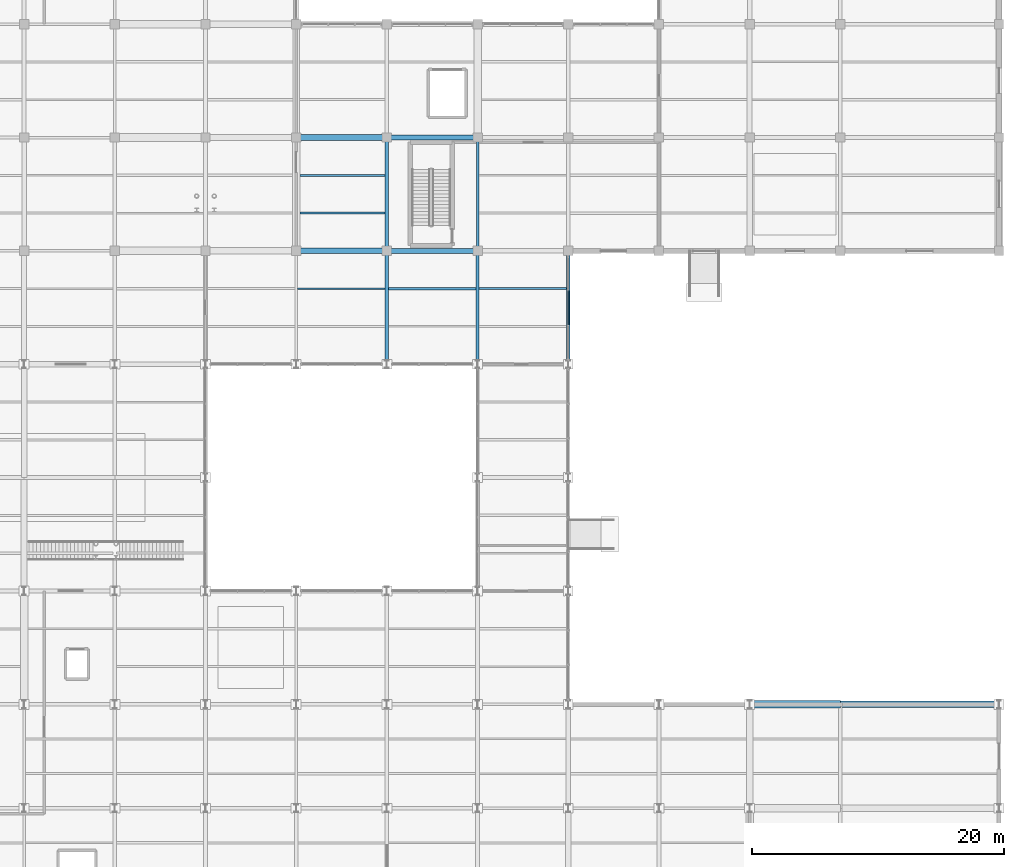
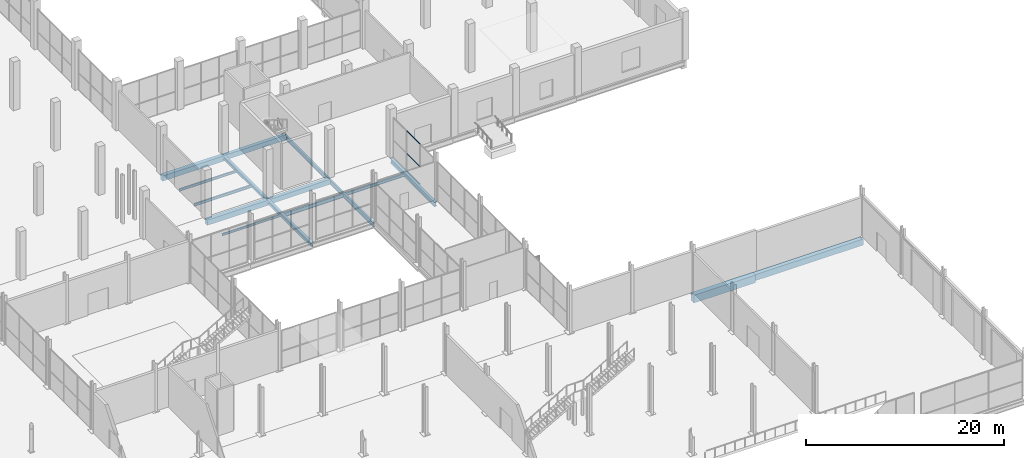
# One storey, part 98 of 144: 16 beams, 3 members, 1 element without a shape of its own.
"""IFC4 building model written with IfcOpenShell, lengths in metres."""

from ifc_helpers import new_model, si_unit, direction, frame, origin, origin_2d, place, context, subcontext, project, spatial, rectangle, hollow_rectangle, i_section, extrude, material, layer, layer_set, material_profile, profile_set, type_object, element, aggregate, save


model = new_model("IFC4")

# Units and contexts
model_context = context("Model", 3, precision=1e-05, world=origin(), true_north=direction((0.0, 1.0)))
body_context = subcontext(model_context, "Body", "Model", "MODEL_VIEW")
ifc_project = project(units=[si_unit("LENGTHUNIT", "METRE"), si_unit("AREAUNIT", "SQUARE_METRE"), si_unit("VOLUMEUNIT", "CUBIC_METRE"), si_unit("PLANEANGLEUNIT", "RADIAN"), si_unit("MASSUNIT", "GRAM", prefix="KILO")], contexts=[model_context])

# Site, building, storey
site_placement = place(None, origin())
site = spatial("IfcSite", under=ifc_project, at=site_placement, CompositionType="ELEMENT")
building_placement = place(site_placement, origin())
building = spatial("IfcBuilding", under=site, at=building_placement, Name="Sundgate Opera House", CompositionType="ELEMENT")
storey_placement = place(building_placement, origin())
storey = spatial("IfcBuildingStorey", under=building, at=storey_placement, Name="L00", CompositionType="ELEMENT", Elevation=0.0)

# Beams
ifc_material_1 = material(Name="Steel S355J2", Category="steel")
ifc_material_profile_1 = material_profile(ifc_material_1, i_section(OverallWidth=0.300048828125, OverallDepth=0.39990234375, WebThickness=0.013427734375, FlangeThickness=0.02392578125, at=origin_2d()), Name="HEB 400")
ifc_profile_set_1 = profile_set([ifc_material_profile_1], Name="Steel S355J2")
beam_type_1 = type_object("IfcBeamType", Name="BM-GR-HEB400", PredefinedType="BEAM", material=ifc_profile_set_1)
beam_1_placement = place(storey_placement, frame((131.39990234375, 69.0, -0.52001953125), z_axis=(0.0, 1.0, 0.0), x_axis=(-1.0, 0.0, 0.0)))
element("IfcBeam", 1, at=beam_1_placement, inside=storey, type_object=beam_type_1, Name="L00 Primary N-S Girder B0263", PredefinedType="BEAM", context=body_context, shape_type="SweptSolid", body=[
    extrude(i_section(OverallWidth=0.300048828125, OverallDepth=0.39990234375, WebThickness=0.013427734375, FlangeThickness=0.02392578125, at=origin_2d()), origin(), (0.0, 0.0, 1.0), 9.0),
])
ifc_material_2 = material(Name="Steel S355J2", Category="steel")
ifc_material_profile_2 = material_profile(ifc_material_2, i_section(OverallWidth=0.300048828125, OverallDepth=0.449951171875, WebThickness=0.013916015625, FlangeThickness=0.02587890625, at=origin_2d()), Name="HEB 450")
ifc_profile_set_2 = profile_set([ifc_material_profile_2], Name="Steel S355J2")
beam_type_2 = type_object("IfcBeamType", Name="BM-GR-HEB450", PredefinedType="BEAM", material=ifc_profile_set_2)
beam_2_placement = place(storey_placement, frame((131.39990234375, 60.0, -0.544921875), z_axis=(0.0, 1.0, 0.0), x_axis=(-1.0, 0.0, 0.0)))
element("IfcBeam", 2, at=beam_2_placement, inside=storey, type_object=beam_type_2, Name="L00 Primary N-S Girder B0262", PredefinedType="BEAM", context=body_context, shape_type="SweptSolid", body=[
    extrude(i_section(OverallWidth=0.300048828125, OverallDepth=0.449951171875, WebThickness=0.013916015625, FlangeThickness=0.02587890625, at=origin_2d()), origin(), (0.0, 0.0, 1.0), 9.0),
])
ifc_material_3 = material(Name="Steel S355J2", Category="steel")
ifc_material_profile_3 = material_profile(ifc_material_3, i_section(OverallWidth=0.300048828125, OverallDepth=0.550048828125, WebThickness=0.014892578125, FlangeThickness=0.029052734375, at=origin_2d()), Name="HEB 550")
ifc_profile_set_3 = profile_set([ifc_material_profile_3], Name="Steel S355J2")
beam_type_3 = type_object("IfcBeamType", Name="BM-GR-HEB550", PredefinedType="BEAM", material=ifc_profile_set_3)
beam_3_placement = place(storey_placement, frame((145.800048828125, 60.0, -0.594970703125), z_axis=(0.0, 1.0, 0.0), x_axis=(-1.0, 0.0, 0.0)))
element("IfcBeam", 3, at=beam_3_placement, inside=storey, type_object=beam_type_3, Name="L00 Primary N-S Girder B0282", PredefinedType="BEAM", context=body_context, shape_type="SweptSolid", body=[
    extrude(i_section(OverallWidth=0.300048828125, OverallDepth=0.550048828125, WebThickness=0.014892578125, FlangeThickness=0.029052734375, at=origin_2d()), origin(), (0.0, 0.0, 1.0), 9.0),
])
ifc_material_4 = material(Name="Steel S355J2", Category="steel")
ifc_material_profile_4 = material_profile(ifc_material_4, i_section(OverallWidth=0.199951171875, OverallDepth=0.5, WebThickness=0.01025390625, FlangeThickness=0.01611328125, at=origin_2d()), Name="IPE 500")
ifc_profile_set_4 = profile_set([ifc_material_profile_4], Name="Steel S355J2")
beam_type_4 = type_object("IfcBeamType", Name="BM-GR-IPE500", PredefinedType="BEAM", material=ifc_profile_set_4)
beam_4_placement = place(storey_placement, frame((138.60009765625, 69.0, -0.570068359375), z_axis=(0.0, 1.0, 0.0), x_axis=(-1.0, 0.0, 0.0)))
element("IfcBeam", 4, at=beam_4_placement, inside=storey, type_object=beam_type_4, Name="L00 Primary N-S Girder B0273", PredefinedType="BEAM", context=body_context, shape_type="SweptSolid", body=[
    extrude(i_section(OverallWidth=0.199951171875, OverallDepth=0.5, WebThickness=0.01025390625, FlangeThickness=0.01611328125, at=origin_2d()), origin(), (0.0, 0.0, 1.0), 9.0),
])
ifc_material_5 = material(Name="Steel S355J2", Category="steel")
ifc_material_profile_5 = material_profile(ifc_material_5, i_section(OverallWidth=0.2099609375, OverallDepth=0.550048828125, WebThickness=0.010986328125, FlangeThickness=0.01708984375, at=origin_2d()), Name="IPE 550")
ifc_profile_set_5 = profile_set([ifc_material_profile_5], Name="Steel S355J2")
beam_type_5 = type_object("IfcBeamType", Name="BM-GR-IPE550", PredefinedType="BEAM", material=ifc_profile_set_5)
beam_5_placement = place(storey_placement, frame((138.60009765625, 60.0, -0.594970703125), z_axis=(0.0, 1.0, 0.0), x_axis=(-1.0, 0.0, 0.0)))
element("IfcBeam", 5, at=beam_5_placement, inside=storey, type_object=beam_type_5, Name="L00 Primary N-S Girder B0272", PredefinedType="BEAM", context=body_context, shape_type="SweptSolid", body=[
    extrude(i_section(OverallWidth=0.2099609375, OverallDepth=0.550048828125, WebThickness=0.010986328125, FlangeThickness=0.01708984375, at=origin_2d()), origin(), (0.0, 0.0, 1.0), 9.0),
])
ifc_material_6 = material(Name="Steel S355J2", Category="steel")
ifc_material_profile_6 = material_profile(ifc_material_6, i_section(OverallWidth=0.135009765625, OverallDepth=0.27001953125, WebThickness=0.006591796875, FlangeThickness=0.01025390625, at=origin_2d()), Name="IPE 270")
ifc_profile_set_6 = profile_set([ifc_material_profile_6], Name="Steel S355J2")
beam_type_6 = type_object("IfcBeamType", Name="BM-JS-IPE270", PredefinedType="JOIST", material=ifc_profile_set_6)
beam_6_placement = place(storey_placement, frame((124.300048828125, 66.0, -0.455078125), z_axis=(1.0, 0.0, 0.0), x_axis=(0.0, 1.0, 0.0)))
element("IfcBeam", 6, at=beam_6_placement, inside=storey, type_object=beam_type_6, Name="L00 Secondary Floor Joist B0831", PredefinedType="JOIST", context=body_context, shape_type="SweptSolid", body=[
    extrude(i_section(OverallWidth=0.135009765625, OverallDepth=0.27001953125, WebThickness=0.006591796875, FlangeThickness=0.01025390625, at=origin_2d()), origin(), (0.0, 0.0, 1.0), 6.949951171875),
])
ifc_material_7 = material(Name="Steel S355J2", Category="steel")
ifc_material_profile_7 = material_profile(ifc_material_7, i_section(OverallWidth=0.14990234375, OverallDepth=0.300048828125, WebThickness=0.007080078125, FlangeThickness=0.0107421875, at=origin_2d()), Name="IPE 300")
ifc_profile_set_7 = profile_set([ifc_material_profile_7], Name="Steel S355J2")
beam_type_7 = type_object("IfcBeamType", Name="BM-JS-IPE300", PredefinedType="JOIST", material=ifc_profile_set_7)
beam_7_placement = place(storey_placement, frame((124.5, 75.0, -0.469970703125), z_axis=(1.0, 0.0, 0.0), x_axis=(0.0, 1.0, 0.0)))
element("IfcBeam", 7, at=beam_7_placement, inside=storey, type_object=beam_type_7, Name="L00 Secondary Floor Joist B0865", PredefinedType="JOIST", context=body_context, shape_type="SweptSolid", body=[
    extrude(i_section(OverallWidth=0.14990234375, OverallDepth=0.300048828125, WebThickness=0.007080078125, FlangeThickness=0.0107421875, at=origin_2d()), origin(), (0.0, 0.0, 1.0), 6.75),
])
ifc_material_8 = material(Name="Steel S355J2", Category="steel")
ifc_material_profile_8 = material_profile(ifc_material_8, i_section(OverallWidth=0.159912109375, OverallDepth=0.330078125, WebThickness=0.007568359375, FlangeThickness=0.011474609375, at=origin_2d()), Name="IPE 330")
ifc_profile_set_8 = profile_set([ifc_material_profile_8], Name="Steel S355J2")
beam_type_8 = type_object("IfcBeamType", Name="BM-JS-IPE330", PredefinedType="JOIST", material=ifc_profile_set_8)
beam_8_placement = place(storey_placement, frame((124.5, 72.0, -0.485107421875), z_axis=(1.0, 0.0, 0.0), x_axis=(0.0, 1.0, 0.0)))
element("IfcBeam", 8, at=beam_8_placement, inside=storey, type_object=beam_type_8, Name="L00 Secondary Floor Joist B0864", PredefinedType="JOIST", context=body_context, shape_type="SweptSolid", body=[
    extrude(i_section(OverallWidth=0.159912109375, OverallDepth=0.330078125, WebThickness=0.007568359375, FlangeThickness=0.011474609375, at=origin_2d()), origin(), (0.0, 0.0, 1.0), 6.75),
])
ifc_material_9 = material(Name="Steel S355J2", Category="steel")
ifc_material_profile_9 = material_profile(ifc_material_9, i_section(OverallWidth=0.169921875, OverallDepth=0.360107421875, WebThickness=0.008056640625, FlangeThickness=0.0126953125, at=origin_2d()), Name="IPE 360")
ifc_profile_set_9 = profile_set([ifc_material_profile_9], Name="Steel S355J2")
beam_type_9 = type_object("IfcBeamType", Name="BM-JS-IPE360", PredefinedType="JOIST", material=ifc_profile_set_9)
beam_9_placement = place(storey_placement, frame((138.705078125, 66.0, -0.5), z_axis=(1.0, 0.0, 0.0), x_axis=(0.0, 1.0, 0.0)))
element("IfcBeam", 9, at=beam_9_placement, inside=storey, type_object=beam_type_9, Name="L00 Secondary Floor Joist B0835", PredefinedType="JOIST", context=body_context, shape_type="SweptSolid", body=[
    extrude(i_section(OverallWidth=0.169921875, OverallDepth=0.360107421875, WebThickness=0.008056640625, FlangeThickness=0.0126953125, at=origin_2d()), origin(), (0.0, 0.0, 1.0), 6.94482421875),
])
ifc_material_10 = material(Name="Steel S355J2", Category="steel")
ifc_material_profile_10 = material_profile(ifc_material_10, i_section(OverallWidth=0.18994140625, OverallDepth=0.449951171875, WebThickness=0.009521484375, FlangeThickness=0.0146484375, at=origin_2d()), Name="IPE 450")
ifc_profile_set_10 = profile_set([ifc_material_profile_10], Name="Steel S355J2")
beam_type_10 = type_object("IfcBeamType", Name="BM-JS-IPE450", PredefinedType="JOIST", material=ifc_profile_set_10)
beam_10_placement = place(storey_placement, frame((131.550048828125, 66.0, -0.544921875), z_axis=(1.0, 0.0, 0.0), x_axis=(0.0, 1.0, 0.0)))
element("IfcBeam", 10, at=beam_10_placement, inside=storey, type_object=beam_type_10, Name="L00 Secondary Floor Joist B0833", PredefinedType="JOIST", context=body_context, shape_type="SweptSolid", body=[
    extrude(i_section(OverallWidth=0.18994140625, OverallDepth=0.449951171875, WebThickness=0.009521484375, FlangeThickness=0.0146484375, at=origin_2d()), origin(), (0.0, 0.0, 1.0), 6.945068359375),
])
ifc_material_11 = material(Name="Concrete C35/45", Category="concrete")
ifc_material_profile_11 = material_profile(ifc_material_11, rectangle(XDim=0.39990234375, YDim=0.60009765625, at=origin_2d()), Name="RC 400x600")
ifc_profile_set_11 = profile_set([ifc_material_profile_11], Name="Concrete C35/45")
beam_type_11 = type_object("IfcBeamType", Name="BM-RC-400x600", PredefinedType="BEAM", material=ifc_profile_set_11)
for number, where, z_axis, x_axis, name in (
    (11, (131.39990234375, 69.0, -0.6201171875), (1.0, 0.0, 0.0), (0.0, 1.0, 0.0), "L00 Primary E-W Girder B0474"),
    (12, (131.39990234375, 78.0, -0.6201171875), (1.0, 0.0, 0.0), (0.0, 1.0, 0.0), "L00 Primary E-W Girder B0496"),
):
    element("IfcBeam", number, at=place(storey_placement, frame(where, z_axis=z_axis, x_axis=x_axis)), inside=storey, type_object=beam_type_11, Name=name, PredefinedType="BEAM", context=body_context, shape_type="SweptSolid", body=[
        extrude(rectangle(XDim=0.39990234375, YDim=0.60009765625, at=origin_2d()), origin(), (0.0, 0.0, 1.0), 7.2001953125),
    ])
ifc_material_12 = material(Name="Concrete C35/45", Category="concrete")
ifc_material_profile_12 = material_profile(ifc_material_12, rectangle(XDim=0.449951171875, YDim=0.64990234375, at=origin_2d()), Name="RC 450x650")
ifc_profile_set_12 = profile_set([ifc_material_profile_12], Name="Concrete C35/45")
beam_type_12 = type_object("IfcBeamType", Name="BM-RC-450x650", PredefinedType="BEAM", material=ifc_profile_set_12)
for number, where, z_axis, x_axis, name in (
    (13, (124.199951171875, 69.0, -0.64501953125), (1.0, 0.0, 0.0), (0.0, 1.0, 0.0), "L00 Primary E-W Girder B0473"),
    (14, (124.199951171875, 78.0, -0.64501953125), (1.0, 0.0, 0.0), (0.0, 1.0, 0.0), "L00 Primary E-W Girder B0495"),
):
    element("IfcBeam", number, at=place(storey_placement, frame(where, z_axis=z_axis, x_axis=x_axis)), inside=storey, type_object=beam_type_12, Name=name, PredefinedType="BEAM", context=body_context, shape_type="SweptSolid", body=[
        extrude(rectangle(XDim=0.449951171875, YDim=0.64990234375, at=origin_2d()), origin(), (0.0, 0.0, 1.0), 7.199951171875),
    ])
ifc_material_13 = material(Name="Concrete C40/50", Category="concrete")
ifc_material_profile_13 = material_profile(ifc_material_13, rectangle(XDim=0.5, YDim=0.75, at=origin_2d()), Name="RC 500x750")
ifc_profile_set_13 = profile_set([ifc_material_profile_13], Name="Concrete C40/50")
beam_type_13 = type_object("IfcBeamType", Name="BM-RC-500x750", PredefinedType="BEAM", material=ifc_profile_set_13)
beam_11_placement = place(storey_placement, frame((167.39990234375, 33.0, -0.695068359375), z_axis=(1.0, 0.0, 0.0), x_axis=(0.0, 1.0, 0.0)))
element("IfcBeam", 15, at=beam_11_placement, inside=storey, type_object=beam_type_13, Name="L00 Primary E-W Girder B0406", PredefinedType="BEAM", context=body_context, shape_type="SweptSolid", body=[
    extrude(rectangle(XDim=0.5, YDim=0.75, at=origin_2d()), origin(), (0.0, 0.0, 1.0), 12.60009765625),
])
ifc_material_14 = material(Name="Concrete C40/50", Category="concrete")
ifc_material_profile_14 = material_profile(ifc_material_14, rectangle(XDim=0.60009765625, YDim=0.949951171875, at=origin_2d()), Name="RC 600x950")
ifc_profile_set_14 = profile_set([ifc_material_profile_14], Name="Concrete C40/50")
beam_type_14 = type_object("IfcBeamType", Name="BM-RC-600x950", PredefinedType="BEAM", material=ifc_profile_set_14)
beam_12_placement = place(storey_placement, frame((160.199951171875, 33.0, -0.794921875), z_axis=(1.0, 0.0, 0.0), x_axis=(0.0, 1.0, 0.0)))
element("IfcBeam", 16, at=beam_12_placement, inside=storey, type_object=beam_type_14, Name="L00 Primary E-W Girder B0405", PredefinedType="BEAM", context=body_context, shape_type="SweptSolid", body=[
    extrude(rectangle(XDim=0.60009765625, YDim=0.949951171875, at=origin_2d()), origin(), (0.0, 0.0, 1.0), 7.199951171875),
])

# Curtain wall, members
ifc_material_15 = material(Name="Anodized aluminium and low-iron glass", Category="aluminium")
ifc_layer = layer(ifc_material_15, 0.159912109375)
ifc_layer_set = layer_set([ifc_layer], Name="Anodized aluminium and low-iron glass")
curtain_wall_type = type_object("IfcCurtainWallType", Name="CW-STUDIO-DARK", PredefinedType="NOTDEFINED", material=ifc_layer_set)
curtain_wall_placement = place(storey_placement, origin())
curtain_wall = element("IfcCurtainWall", 17, at=curtain_wall_placement, inside=storey, type_object=curtain_wall_type, Name="L00 Curtain Wall CW033", PredefinedType="NOTDEFINED")
ifc_material_16 = material(Name="Anodized aluminium EN AW-6063", Category="aluminium")
ifc_material_profile_15 = material_profile(ifc_material_16, hollow_rectangle(XDim=0.054931640625, YDim=0.1201171875, WallThickness=0.00390625, at=origin_2d()), Name="CWT 120x55x4")
ifc_profile_set_15 = profile_set([ifc_material_profile_15], Name="Anodized aluminium EN AW-6063")
member_type = type_object("IfcMemberType", Name="CWT-ALU-120x55", PredefinedType="USERDEFINED", material=ifc_profile_set_15)
member_1_placement = place(storey_placement, frame((145.800048828125, 63.11669921875, 0.0), z_axis=(0.0, 1.0, 0.0), x_axis=(-1.0, 0.0, 0.0)))
member_1 = element("IfcMember", 18, at=member_1_placement, type_object=member_type, Name="CW033 Transom 4", ObjectType="TRANSOM", PredefinedType="USERDEFINED", context=body_context, shape_type="SweptSolid", body=[
    extrude(hollow_rectangle(XDim=0.054931640625, YDim=0.1201171875, WallThickness=0.00390625, at=origin_2d()), origin(), (0.0, 0.0, 1.0), 2.716552734375),
])
member_2_placement = place(storey_placement, frame((145.800048828125, 63.11669921875, 2.14990234375), z_axis=(0.0, 1.0, 0.0), x_axis=(-1.0, 0.0, 0.0)))
member_2 = element("IfcMember", 19, at=member_2_placement, type_object=member_type, Name="CW033 Transom 5", ObjectType="TRANSOM", PredefinedType="USERDEFINED", context=body_context, shape_type="SweptSolid", body=[
    extrude(hollow_rectangle(XDim=0.054931640625, YDim=0.1201171875, WallThickness=0.00390625, at=origin_2d()), origin(), (0.0, 0.0, 1.0), 2.716552734375),
])
member_3_placement = place(storey_placement, frame((145.800048828125, 63.11669921875, 4.9150390625), z_axis=(0.0, 1.0, 0.0), x_axis=(-1.0, 0.0, 0.0)))
member_3 = element("IfcMember", 20, at=member_3_placement, type_object=member_type, Name="CW033 Transom 6", ObjectType="TRANSOM", PredefinedType="USERDEFINED", context=body_context, shape_type="SweptSolid", body=[
    extrude(hollow_rectangle(XDim=0.054931640625, YDim=0.1201171875, WallThickness=0.00390625, at=origin_2d()), origin(), (0.0, 0.0, 1.0), 2.716552734375),
])
aggregate(curtain_wall, [member_1, member_2, member_3])

save(model, "model.ifc")
